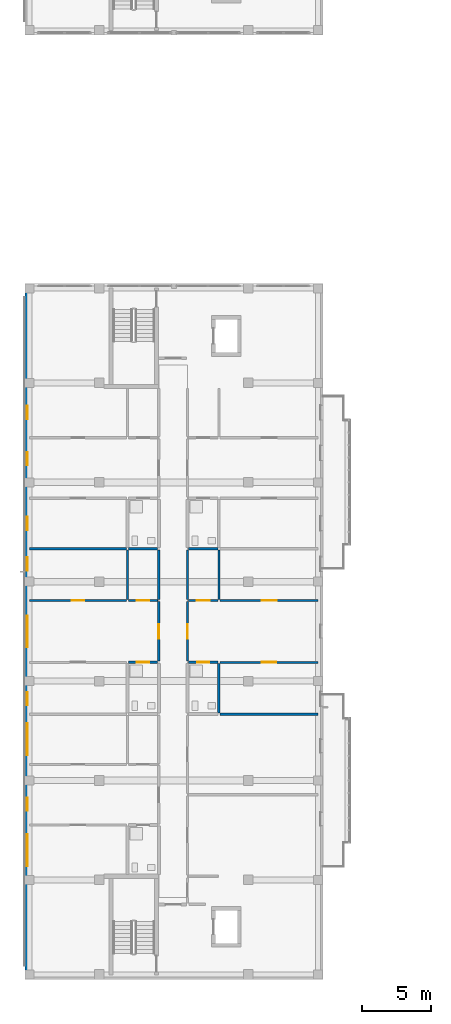
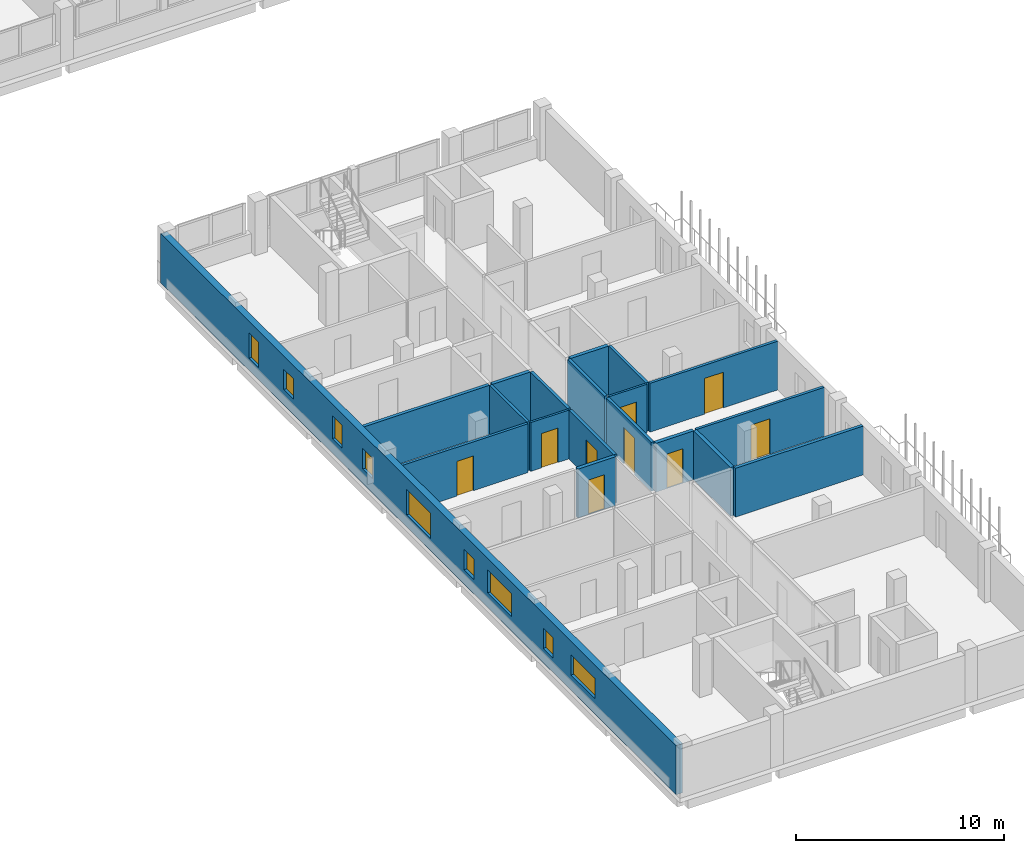
# One storey, part 25 of 51: 19 walls, 9 doors, 9 windows, 18 openings.
"""IFC4 building model written with IfcOpenShell, lengths in metres."""

from ifc_helpers import new_model, si_unit, derived_unit, direction, frame, frame_2d, origin, place, context, subcontext, project, spatial, rectangle, extrude, material, layer, layer_set, type_object, element, fill, save


model = new_model("IFC4")

# Units and contexts
model_context = context("Model", 3, precision=1e-05, world=origin(), true_north=direction((0.0, 1.0)))
body_context = subcontext(model_context, "Body", "Model", "MODEL_VIEW")
ifc_project = project(units=[si_unit("LENGTHUNIT", "METRE"), si_unit("AREAUNIT", "SQUARE_METRE"), si_unit("VOLUMEUNIT", "CUBIC_METRE"), si_unit("PLANEANGLEUNIT", "RADIAN"), si_unit("MASSUNIT", "GRAM", prefix="KILO"), derived_unit("THERMALTRANSMITTANCEUNIT", [(si_unit("MASSUNIT", "GRAM", prefix="KILO"), 1), (si_unit("TIMEUNIT", "SECOND"), -3), (si_unit("THERMODYNAMICTEMPERATUREUNIT", "KELVIN"), -1)])], contexts=[model_context])

# Site, building, storey
site_placement = place(None, origin())
site = spatial("IfcSite", under=ifc_project, at=site_placement, CompositionType="ELEMENT")
building_placement = place(site_placement, origin())
building = spatial("IfcBuilding", under=site, at=building_placement, Name="Ochrekiln Boulevard Commons", CompositionType="ELEMENT")
storey_placement = place(building_placement, frame((0.0, 0.0, 18.375)))
storey = spatial("IfcBuildingStorey", under=building, at=storey_placement, Name="L05", CompositionType="ELEMENT", Elevation=18.375)

# Wall, openings, windows
ifc_material_1 = material(Name="Iron-spot brown clinker brick masonry ASTM C216 Grade SW", Category="masonry")
ifc_layer_1 = layer(ifc_material_1, 0.364990234375)
ifc_layer_set_1 = layer_set([ifc_layer_1], Name="Iron-spot brown clinker brick masonry ASTM C216 Grade SW")
wall_type_1 = type_object("IfcWallType", Name="WL-EXT-IRON-365", PredefinedType="SOLIDWALL", material=ifc_layer_set_1)
wall_1_placement = place(storey_placement, frame((0.1826171875, 0.364990234375, 0.0), z_axis=(0.0, 0.0, 1.0), x_axis=(0.0, 1.0, 0.0)))
wall_1 = element("IfcWall", 1, at=wall_1_placement, inside=storey, type_object=wall_type_1, Name="Block D L05 W Exterior Wall", PredefinedType="SOLIDWALL", context=body_context, shape_type="SweptSolid", body=[
    extrude(rectangle(XDim=49.669921875, YDim=0.364990234375, at=frame_2d((24.8349609375, 0.0))), origin(), (0.0, 0.0, 1.0), 2.889892578125),
])
opening_1_placement = place(wall_1_placement, frame((11.85107421875, 0.0, 0.85009765625)))
opening_1 = element("IfcOpeningElement", 2, at=opening_1_placement, cuts=wall_1, Name="Opening W-01", PredefinedType="OPENING", context=body_context, shape_type="SweptSolid", body=[
    extrude(rectangle(XDim=0.949951171875, YDim=1.199951171875, at=frame_2d((0.47509765625, 0.60009765625))), frame((0.0, 0.1923828125, 0.0), z_axis=(0.0, -1.0, 0.0), x_axis=(1.0, 0.0, 0.0)), (0.0, 0.0, 1.0), 0.385009765625),
])
opening_2_placement = place(wall_1_placement, frame((7.8310546875, 0.0, 0.89990234375)))
opening_2 = element("IfcOpeningElement", 3, at=opening_2_placement, cuts=wall_1, Name="Opening W-56", PredefinedType="OPENING", context=body_context, shape_type="SweptSolid", body=[
    extrude(rectangle(XDim=2.300048828125, YDim=1.199951171875, at=frame_2d((1.14990234375, 0.60009765625))), frame((0.0, 0.1923828125, 0.0), z_axis=(0.0, -1.0, 0.0), x_axis=(1.0, 0.0, 0.0)), (0.0, 0.0, 1.0), 0.385009765625),
])
opening_3_placement = place(wall_1_placement, frame((15.864990234375, 0.0, 0.85498046875)))
opening_3 = element("IfcOpeningElement", 4, at=opening_3_placement, cuts=wall_1, Name="Opening W-57", PredefinedType="OPENING", context=body_context, shape_type="SweptSolid", body=[
    extrude(rectangle(XDim=2.300048828125, YDim=1.35009765625, at=frame_2d((1.14990234375, 0.675048828125))), frame((0.0, 0.1923828125, 0.0), z_axis=(0.0, -1.0, 0.0), x_axis=(1.0, 0.0, 0.0)), (0.0, 0.0, 1.0), 0.385009765625),
])
opening_4_placement = place(wall_1_placement, frame((23.68505859375, 0.0, 0.705078125)))
opening_4 = element("IfcOpeningElement", 5, at=opening_4_placement, cuts=wall_1, Name="Opening W-58", PredefinedType="OPENING", context=body_context, shape_type="SweptSolid", body=[
    extrude(rectangle(XDim=2.300048828125, YDim=1.5, at=frame_2d((1.14990234375, 0.75))), frame((0.0, 0.1923828125, 0.0), z_axis=(0.0, -1.0, 0.0), x_axis=(1.0, 0.0, 0.0)), (0.0, 0.0, 1.0), 0.385009765625),
])
opening_5_placement = place(wall_1_placement, frame((19.47802734375, 0.0, 0.85009765625)))
opening_5 = element("IfcOpeningElement", 6, at=opening_5_placement, cuts=wall_1, Name="Opening W-01", PredefinedType="OPENING", context=body_context, shape_type="SweptSolid", body=[
    extrude(rectangle(XDim=0.949951171875, YDim=1.199951171875, at=frame_2d((0.47509765625, 0.60009765625))), frame((0.0, 0.1923828125, 0.0), z_axis=(0.0, -1.0, 0.0), x_axis=(1.0, 0.0, 0.0)), (0.0, 0.0, 1.0), 0.385009765625),
])
opening_6_placement = place(wall_1_placement, frame((29.241943359375, 0.0, 0.85009765625)))
opening_6 = element("IfcOpeningElement", 7, at=opening_6_placement, cuts=wall_1, Name="Opening W-01", PredefinedType="OPENING", context=body_context, shape_type="SweptSolid", body=[
    extrude(rectangle(XDim=0.949951171875, YDim=1.199951171875, at=frame_2d((0.47509765625, 0.60009765625))), frame((0.0, 0.1923828125, 0.0), z_axis=(0.0, -1.0, 0.0), x_axis=(1.0, 0.0, 0.0)), (0.0, 0.0, 1.0), 0.385009765625),
])
opening_7_placement = place(wall_1_placement, frame((36.867919921875, 0.0, 0.89990234375)))
opening_7 = element("IfcOpeningElement", 8, at=opening_7_placement, cuts=wall_1, Name="Opening W-01", PredefinedType="OPENING", context=body_context, shape_type="SweptSolid", body=[
    extrude(rectangle(XDim=0.949951171875, YDim=1.199951171875, at=frame_2d((0.47509765625, 0.60009765625))), frame((0.0, 0.1923828125, 0.0), z_axis=(0.0, -1.0, 0.0), x_axis=(1.0, 0.0, 0.0)), (0.0, 0.0, 1.0), 0.385009765625),
])
opening_8_placement = place(wall_1_placement, frame((32.179931640625, 0.0, 0.85498046875)))
opening_8 = element("IfcOpeningElement", 9, at=opening_8_placement, cuts=wall_1, Name="Opening W-02", PredefinedType="OPENING", context=body_context, shape_type="SweptSolid", body=[
    extrude(rectangle(XDim=0.949951171875, YDim=1.35009765625, at=frame_2d((0.47509765625, 0.675048828125))), frame((0.0, 0.1923828125, 0.0), z_axis=(0.0, -1.0, 0.0), x_axis=(1.0, 0.0, 0.0)), (0.0, 0.0, 1.0), 0.385009765625),
])
opening_9_placement = place(wall_1_placement, frame((40.212890625, 0.0, 0.705078125)))
opening_9 = element("IfcOpeningElement", 10, at=opening_9_placement, cuts=wall_1, Name="Opening W-03", PredefinedType="OPENING", context=body_context, shape_type="SweptSolid", body=[
    extrude(rectangle(XDim=0.949951171875, YDim=1.5, at=frame_2d((0.47509765625, 0.75))), frame((0.0, 0.1923828125, 0.0), z_axis=(0.0, -1.0, 0.0), x_axis=(1.0, 0.0, 0.0)), (0.0, 0.0, 1.0), 0.385009765625),
])
ifc_material_2 = material(Name="Thermally broken aluminium-clad oak frame", Category="aluminium")
window_type_1 = type_object("IfcWindowType", Name="WIN-EXT-01", PartitioningType="SINGLE_PANEL", PredefinedType="WINDOW", material=ifc_material_2)
window_1_placement = place(opening_1_placement, origin())
window_1 = element("IfcWindow", 11, at=window_1_placement, inside=storey, type_object=window_type_1, Name="Block D L05 Punched Masonry Window W-01", OverallHeight=1.199951171875, OverallWidth=0.949951171875, PartitioningType="SINGLE_PANEL", PredefinedType="WINDOW", context=body_context, shape_type="SweptSolid", body=[
    extrude(rectangle(XDim=0.949951171875, YDim=1.199951171875, at=frame_2d((0.47509765625, 0.60009765625))), frame((0.0, 0.030029296875, 0.0), z_axis=(0.0, -1.0, 0.0), x_axis=(1.0, 0.0, 0.0)), (0.0, 0.0, 1.0), 0.06005859375),
])
fill(opening_1, window_1)
window_2_placement = place(opening_5_placement, origin())
window_2 = element("IfcWindow", 12, at=window_2_placement, inside=storey, type_object=window_type_1, Name="Block D L05 Punched Masonry Window W-01", OverallHeight=1.199951171875, OverallWidth=0.949951171875, PartitioningType="SINGLE_PANEL", PredefinedType="WINDOW", context=body_context, shape_type="SweptSolid", body=[
    extrude(rectangle(XDim=0.949951171875, YDim=1.199951171875, at=frame_2d((0.47509765625, 0.60009765625))), frame((0.0, 0.030029296875, 0.0), z_axis=(0.0, -1.0, 0.0), x_axis=(1.0, 0.0, 0.0)), (0.0, 0.0, 1.0), 0.06005859375),
])
fill(opening_5, window_2)
window_3_placement = place(opening_6_placement, origin())
window_3 = element("IfcWindow", 13, at=window_3_placement, inside=storey, type_object=window_type_1, Name="Block D L05 Punched Masonry Window W-01", OverallHeight=1.199951171875, OverallWidth=0.949951171875, PartitioningType="SINGLE_PANEL", PredefinedType="WINDOW", context=body_context, shape_type="SweptSolid", body=[
    extrude(rectangle(XDim=0.949951171875, YDim=1.199951171875, at=frame_2d((0.47509765625, 0.60009765625))), frame((0.0, 0.030029296875, 0.0), z_axis=(0.0, -1.0, 0.0), x_axis=(1.0, 0.0, 0.0)), (0.0, 0.0, 1.0), 0.06005859375),
])
fill(opening_6, window_3)
window_4_placement = place(opening_7_placement, origin())
window_4 = element("IfcWindow", 14, at=window_4_placement, inside=storey, type_object=window_type_1, Name="Block D L05 Punched Masonry Window W-01", OverallHeight=1.199951171875, OverallWidth=0.949951171875, PartitioningType="SINGLE_PANEL", PredefinedType="WINDOW", context=body_context, shape_type="SweptSolid", body=[
    extrude(rectangle(XDim=0.949951171875, YDim=1.199951171875, at=frame_2d((0.47509765625, 0.60009765625))), frame((0.0, 0.030029296875, 0.0), z_axis=(0.0, -1.0, 0.0), x_axis=(1.0, 0.0, 0.0)), (0.0, 0.0, 1.0), 0.06005859375),
])
fill(opening_7, window_4)
window_type_2 = type_object("IfcWindowType", Name="WIN-EXT-02", PartitioningType="SINGLE_PANEL", PredefinedType="WINDOW", material=ifc_material_2)
window_5_placement = place(opening_8_placement, origin())
window_5 = element("IfcWindow", 15, at=window_5_placement, inside=storey, type_object=window_type_2, Name="Block D L05 Punched Masonry Window W-02", OverallHeight=1.35009765625, OverallWidth=0.949951171875, PartitioningType="SINGLE_PANEL", PredefinedType="WINDOW", context=body_context, shape_type="SweptSolid", body=[
    extrude(rectangle(XDim=0.949951171875, YDim=1.35009765625, at=frame_2d((0.47509765625, 0.675048828125))), frame((0.0, 0.030029296875, 0.0), z_axis=(0.0, -1.0, 0.0), x_axis=(1.0, 0.0, 0.0)), (0.0, 0.0, 1.0), 0.06005859375),
])
fill(opening_8, window_5)
window_type_3 = type_object("IfcWindowType", Name="WIN-EXT-03", PartitioningType="SINGLE_PANEL", PredefinedType="WINDOW", material=ifc_material_2)
window_6_placement = place(opening_9_placement, origin())
window_6 = element("IfcWindow", 16, at=window_6_placement, inside=storey, type_object=window_type_3, Name="Block D L05 Punched Masonry Window W-03", OverallHeight=1.5, OverallWidth=0.949951171875, PartitioningType="SINGLE_PANEL", PredefinedType="WINDOW", context=body_context, shape_type="SweptSolid", body=[
    extrude(rectangle(XDim=0.949951171875, YDim=1.5, at=frame_2d((0.47509765625, 0.75))), frame((0.0, 0.030029296875, 0.0), z_axis=(0.0, -1.0, 0.0), x_axis=(1.0, 0.0, 0.0)), (0.0, 0.0, 1.0), 0.06005859375),
])
fill(opening_9, window_6)
window_type_4 = type_object("IfcWindowType", Name="WIN-EXT-56", PartitioningType="DOUBLE_PANEL_VERTICAL", PredefinedType="WINDOW", material=ifc_material_2)
window_7_placement = place(opening_2_placement, origin())
window_7 = element("IfcWindow", 17, at=window_7_placement, inside=storey, type_object=window_type_4, Name="Block D L05 Punched Masonry Window W-56", OverallHeight=1.199951171875, OverallWidth=2.300048828125, PartitioningType="DOUBLE_PANEL_VERTICAL", PredefinedType="WINDOW", context=body_context, shape_type="SweptSolid", body=[
    extrude(rectangle(XDim=2.300048828125, YDim=1.199951171875, at=frame_2d((1.14990234375, 0.60009765625))), frame((0.0, 0.030029296875, 0.0), z_axis=(0.0, -1.0, 0.0), x_axis=(1.0, 0.0, 0.0)), (0.0, 0.0, 1.0), 0.06005859375),
])
fill(opening_2, window_7)
window_type_5 = type_object("IfcWindowType", Name="WIN-EXT-57", PartitioningType="DOUBLE_PANEL_VERTICAL", PredefinedType="WINDOW", material=ifc_material_2)
window_8_placement = place(opening_3_placement, origin())
window_8 = element("IfcWindow", 18, at=window_8_placement, inside=storey, type_object=window_type_5, Name="Block D L05 Punched Masonry Window W-57", OverallHeight=1.35009765625, OverallWidth=2.300048828125, PartitioningType="DOUBLE_PANEL_VERTICAL", PredefinedType="WINDOW", context=body_context, shape_type="SweptSolid", body=[
    extrude(rectangle(XDim=2.300048828125, YDim=1.35009765625, at=frame_2d((1.14990234375, 0.675048828125))), frame((0.0, 0.030029296875, 0.0), z_axis=(0.0, -1.0, 0.0), x_axis=(1.0, 0.0, 0.0)), (0.0, 0.0, 1.0), 0.06005859375),
])
fill(opening_3, window_8)
window_type_6 = type_object("IfcWindowType", Name="WIN-EXT-58", PartitioningType="DOUBLE_PANEL_VERTICAL", PredefinedType="WINDOW", material=ifc_material_2)
window_9_placement = place(opening_4_placement, origin())
window_9 = element("IfcWindow", 19, at=window_9_placement, inside=storey, type_object=window_type_6, Name="Block D L05 Punched Masonry Window W-58", OverallHeight=1.5, OverallWidth=2.300048828125, PartitioningType="DOUBLE_PANEL_VERTICAL", PredefinedType="WINDOW", context=body_context, shape_type="SweptSolid", body=[
    extrude(rectangle(XDim=2.300048828125, YDim=1.5, at=frame_2d((1.14990234375, 0.75))), frame((0.0, 0.030029296875, 0.0), z_axis=(0.0, -1.0, 0.0), x_axis=(1.0, 0.0, 0.0)), (0.0, 0.0, 1.0), 0.06005859375),
])
fill(opening_4, window_9)

# Wall, opening, door
ifc_material_3 = material(Name="Moisture-resistant cementitious tile backer wall")
ifc_layer_2 = layer(ifc_material_3, 0.199951171875)
ifc_layer_set_2 = layer_set([ifc_layer_2], Name="Moisture-resistant cementitious tile backer wall")
wall_type_2 = type_object("IfcWallType", Name="WL-PLM-200", PredefinedType="PLUMBINGWALL", material=ifc_layer_set_2)
wall_2_placement = place(storey_placement, frame((7.52001953125, 22.9599609375, 0.0), z_axis=(0.0, 0.0, 1.0), x_axis=(1.0, 0.0, 0.0)))
wall_2 = element("IfcWall", 20, at=wall_2_placement, inside=storey, type_object=wall_type_2, Name="L05 Interior Wall W-PW200", PredefinedType="PLUMBINGWALL", context=body_context, shape_type="SweptSolid", body=[
    extrude(rectangle(XDim=2.10791015625, YDim=0.199951171875, at=frame_2d((1.053955078125, 0.0))), origin(), (0.0, 0.0, 1.0), 2.8701171875),
])
opening_10_placement = place(wall_2_placement, frame((0.60498046875, 0.0, 0.0)))
opening_10 = element("IfcOpeningElement", 21, at=opening_10_placement, cuts=wall_2, Name="Opening D-L05-766", PredefinedType="OPENING", context=body_context, shape_type="SweptSolid", body=[
    extrude(rectangle(XDim=0.889892578125, YDim=2.030029296875, at=frame_2d((0.44482421875, 1.01513671875))), frame((0.0, 0.10986328125, 0.0), z_axis=(0.0, -1.0, 0.0), x_axis=(1.0, 0.0, 0.0)), (0.0, 0.0, 1.0), 0.219970703125),
])
ifc_material_4 = material(Name="Solid core architectural oak door leaf")
door_type_1 = type_object("IfcDoorType", Name="DR-INT-BTH-089", OperationType="NOTDEFINED", PredefinedType="DOOR", material=ifc_material_4)
door_1_placement = place(opening_10_placement, frame((0.889892578125, 0.0, 0.0), z_axis=(0.0, 0.0, 1.0), x_axis=(-1.0, 0.0, 0.0)))
door_1 = element("IfcDoor", 22, at=door_1_placement, inside=storey, type_object=door_type_1, Name="L05 Interior Door to Apartment Bathroom", OperationType="SINGLE_SWING_RIGHT", OverallHeight=2.030029296875, OverallWidth=0.889892578125, PredefinedType="DOOR", context=body_context, shape_type="SweptSolid", body=[
    extrude(rectangle(XDim=0.889892578125, YDim=2.030029296875, at=frame_2d((0.44482421875, 1.01513671875))), frame((0.0, 0.02490234375, 0.0), z_axis=(0.0, -1.0, 0.0), x_axis=(1.0, 0.0, 0.0)), (0.0, 0.0, 1.0), 0.050048828125),
])
fill(opening_10, door_1)

# Wall
wall_3_placement = place(storey_placement, frame((7.52001953125, 31.18408203125, 0.0), z_axis=(0.0, 0.0, 1.0), x_axis=(1.0, 0.0, 0.0)))
element("IfcWall", 23, at=wall_3_placement, inside=storey, type_object=wall_type_2, Name="L05 Interior Wall W-PW200", PredefinedType="PLUMBINGWALL", context=body_context, shape_type="SweptSolid", body=[
    extrude(rectangle(XDim=2.10791015625, YDim=0.199951171875, at=frame_2d((1.053955078125, 0.0))), origin(), (0.0, 0.0, 1.0), 2.8701171875),
])

# Wall, opening, door
wall_4_placement = place(storey_placement, frame((11.8720703125, 22.9599609375, 0.0), z_axis=(0.0, 0.0, 1.0), x_axis=(1.0, 0.0, 0.0)))
wall_4 = element("IfcWall", 24, at=wall_4_placement, inside=storey, type_object=wall_type_2, Name="L05 Interior Wall W-PW200", PredefinedType="PLUMBINGWALL", context=body_context, shape_type="SweptSolid", body=[
    extrude(rectangle(XDim=2.10791015625, YDim=0.199951171875, at=frame_2d((1.053955078125, 0.0))), origin(), (0.0, 0.0, 1.0), 2.8701171875),
])
opening_11_placement = place(wall_4_placement, frame((0.613037109375, 0.0, 0.0)))
opening_11 = element("IfcOpeningElement", 25, at=opening_11_placement, cuts=wall_4, Name="Opening D-L05-774", PredefinedType="OPENING", context=body_context, shape_type="SweptSolid", body=[
    extrude(rectangle(XDim=0.889892578125, YDim=2.030029296875, at=frame_2d((0.44482421875, 1.01513671875))), frame((0.0, 0.10986328125, 0.0), z_axis=(0.0, -1.0, 0.0), x_axis=(1.0, 0.0, 0.0)), (0.0, 0.0, 1.0), 0.219970703125),
])
door_2_placement = place(opening_11_placement, frame((0.889892578125, 0.0, 0.0), z_axis=(0.0, 0.0, 1.0), x_axis=(-1.0, 0.0, 0.0)))
door_2 = element("IfcDoor", 26, at=door_2_placement, inside=storey, type_object=door_type_1, Name="L05 Interior Door to Apartment Bathroom", OperationType="SINGLE_SWING_RIGHT", OverallHeight=2.030029296875, OverallWidth=0.889892578125, PredefinedType="DOOR", context=body_context, shape_type="SweptSolid", body=[
    extrude(rectangle(XDim=0.889892578125, YDim=2.030029296875, at=frame_2d((0.44482421875, 1.01513671875))), frame((0.0, 0.02490234375, 0.0), z_axis=(0.0, -1.0, 0.0), x_axis=(1.0, 0.0, 0.0)), (0.0, 0.0, 1.0), 0.050048828125),
])
fill(opening_11, door_2)

# Walls
wall_5_placement = place(storey_placement, frame((14.06005859375, 19.305908203125, 0.0), z_axis=(0.0, 0.0, 1.0), x_axis=(0.0, 1.0, 0.0)))
element("IfcWall", 27, at=wall_5_placement, inside=storey, type_object=wall_type_2, Name="L05 Interior Wall W-PW200", PredefinedType="PLUMBINGWALL", context=body_context, shape_type="SweptSolid", body=[
    extrude(rectangle(XDim=3.5791015625, YDim=0.199951171875, at=frame_2d((1.78955078125, 0.0))), origin(), (0.0, 0.0, 1.0), 2.8701171875),
])
wall_6_placement = place(storey_placement, frame((11.8720703125, 31.18408203125, 0.0), z_axis=(0.0, 0.0, 1.0), x_axis=(1.0, 0.0, 0.0)))
element("IfcWall", 28, at=wall_6_placement, inside=storey, type_object=wall_type_2, Name="L05 Interior Wall W-PW200", PredefinedType="PLUMBINGWALL", context=body_context, shape_type="SweptSolid", body=[
    extrude(rectangle(XDim=2.113037109375, YDim=0.199951171875, at=frame_2d((1.056640625, 0.0))), origin(), (0.0, 0.0, 1.0), 2.8701171875),
])

# Wall, opening, door
ifc_material_5 = material(Name="Fire-rated Type X gypsum board on steel studs", Category="steel")
ifc_layer_3 = layer(ifc_material_5, 0.1650390625)
ifc_layer_set_3 = layer_set([ifc_layer_3], Name="Fire-rated Type X gypsum board on steel studs")
wall_type_3 = type_object("IfcWallType", Name="WL-PT-CORR-165", PredefinedType="PARTITIONING", material=ifc_layer_set_3)
wall_7_placement = place(storey_placement, frame((9.7099609375, 23.0400390625, 0.0), z_axis=(0.0, 0.0, 1.0), x_axis=(0.0, 1.0, 0.0)))
wall_7 = element("IfcWall", 29, at=wall_7_placement, inside=storey, type_object=wall_type_3, Name="L05 Interior Wall W-PC165", PredefinedType="PARTITIONING", context=body_context, shape_type="SweptSolid", body=[
    extrude(rectangle(XDim=4.320068359375, YDim=0.1650390625, at=frame_2d((2.16015625, 0.0))), origin(), (0.0, 0.0, 1.0), 2.8701171875),
])
opening_12_placement = place(wall_7_placement, frame((1.635009765625, 0.0, 0.0)))
opening_12 = element("IfcOpeningElement", 30, at=opening_12_placement, cuts=wall_7, Name="Opening D-L05-756", PredefinedType="OPENING", context=body_context, shape_type="SweptSolid", body=[
    extrude(rectangle(XDim=1.050048828125, YDim=2.1298828125, at=frame_2d((0.52490234375, 1.06494140625))), frame((0.0, 0.092529296875, 0.0), z_axis=(0.0, -1.0, 0.0), x_axis=(1.0, 0.0, 0.0)), (0.0, 0.0, 1.0), 0.18505859375),
])
door_type_2 = type_object("IfcDoorType", Name="DR-INT-APT-105", OperationType="NOTDEFINED", PredefinedType="DOOR", material=ifc_material_4)
door_3_placement = place(opening_12_placement, origin())
door_3 = element("IfcDoor", 31, at=door_3_placement, inside=storey, type_object=door_type_2, Name="L05 Interior Door to Two-Bedroom Apartment Living Room", OperationType="SINGLE_SWING_RIGHT", OverallHeight=2.1298828125, OverallWidth=1.050048828125, PredefinedType="DOOR", context=body_context, shape_type="SweptSolid", body=[
    extrude(rectangle(XDim=1.050048828125, YDim=2.1298828125, at=frame_2d((0.52490234375, 1.06494140625))), frame((0.0, 0.02490234375, 0.0), z_axis=(0.0, -1.0, 0.0), x_axis=(1.0, 0.0, 0.0)), (0.0, 0.0, 1.0), 0.050048828125),
])
fill(opening_12, door_3)

# Wall
wall_8_placement = place(storey_placement, frame((9.7099609375, 27.52001953125, 0.0), z_axis=(0.0, 0.0, 1.0), x_axis=(0.0, 1.0, 0.0)))
element("IfcWall", 32, at=wall_8_placement, inside=storey, type_object=wall_type_3, Name="L05 Interior Wall W-PC165", PredefinedType="PARTITIONING", context=body_context, shape_type="SweptSolid", body=[
    extrude(rectangle(XDim=3.573974609375, YDim=0.1650390625, at=frame_2d((1.787109375, 0.0))), origin(), (0.0, 0.0, 1.0), 2.8701171875),
])

# Wall, opening, door
wall_9_placement = place(storey_placement, frame((11.7900390625, 23.0400390625, 0.0), z_axis=(0.0, 0.0, 1.0), x_axis=(0.0, 1.0, 0.0)))
wall_9 = element("IfcWall", 33, at=wall_9_placement, inside=storey, type_object=wall_type_3, Name="L05 Interior Wall W-PC165", PredefinedType="PARTITIONING", context=body_context, shape_type="SweptSolid", body=[
    extrude(rectangle(XDim=4.320068359375, YDim=0.1650390625, at=frame_2d((2.16015625, 0.0))), origin(), (0.0, 0.0, 1.0), 2.8701171875),
])
opening_13_placement = place(wall_9_placement, frame((1.635009765625, 0.0, 0.0)))
opening_13 = element("IfcOpeningElement", 34, at=opening_13_placement, cuts=wall_9, Name="Opening D-L05-760", PredefinedType="OPENING", context=body_context, shape_type="SweptSolid", body=[
    extrude(rectangle(XDim=1.050048828125, YDim=2.1298828125, at=frame_2d((0.52490234375, 1.06494140625))), frame((0.0, 0.092529296875, 0.0), z_axis=(0.0, -1.0, 0.0), x_axis=(1.0, 0.0, 0.0)), (0.0, 0.0, 1.0), 0.18505859375),
])
door_4_placement = place(opening_13_placement, frame((1.050048828125, 0.0, 0.0), z_axis=(0.0, 0.0, 1.0), x_axis=(-1.0, 0.0, 0.0)))
door_4 = element("IfcDoor", 35, at=door_4_placement, inside=storey, type_object=door_type_2, Name="L05 Interior Door to Two-Bedroom Apartment Living Room", OperationType="SINGLE_SWING_RIGHT", OverallHeight=2.1298828125, OverallWidth=1.050048828125, PredefinedType="DOOR", context=body_context, shape_type="SweptSolid", body=[
    extrude(rectangle(XDim=1.050048828125, YDim=2.1298828125, at=frame_2d((0.52490234375, 1.06494140625))), frame((0.0, 0.02490234375, 0.0), z_axis=(0.0, -1.0, 0.0), x_axis=(1.0, 0.0, 0.0)), (0.0, 0.0, 1.0), 0.050048828125),
])
fill(opening_13, door_4)

# Walls
wall_10_placement = place(storey_placement, frame((11.7900390625, 27.52001953125, 0.0), z_axis=(0.0, 0.0, 1.0), x_axis=(0.0, 1.0, 0.0)))
element("IfcWall", 36, at=wall_10_placement, inside=storey, type_object=wall_type_3, Name="L05 Interior Wall W-PC165", PredefinedType="PARTITIONING", context=body_context, shape_type="SweptSolid", body=[
    extrude(rectangle(XDim=3.573974609375, YDim=0.1650390625, at=frame_2d((1.787109375, 0.0))), origin(), (0.0, 0.0, 1.0), 2.8701171875),
])
ifc_layer_4 = layer(ifc_material_5, 0.179931640625)
ifc_layer_set_4 = layer_set([ifc_layer_4], Name="Fire-rated Type X gypsum board on steel studs")
wall_type_4 = type_object("IfcWallType", Name="WL-PT-DEM-180", PredefinedType="PARTITIONING", material=ifc_layer_set_4)
wall_11_placement = place(storey_placement, frame((0.35009765625, 31.18408203125, 0.0), z_axis=(0.0, 0.0, 1.0), x_axis=(1.0, 0.0, 0.0)))
element("IfcWall", 37, at=wall_11_placement, inside=storey, type_object=wall_type_4, Name="L05 Interior Wall W-PD180", PredefinedType="PARTITIONING", context=body_context, shape_type="SweptSolid", body=[
    extrude(rectangle(XDim=7.010009765625, YDim=0.179931640625, at=frame_2d((3.5048828125, 0.0))), origin(), (0.0, 0.0, 1.0), 2.8701171875),
])
wall_12_placement = place(storey_placement, frame((14.139892578125, 19.216064453125, 0.0), z_axis=(0.0, 0.0, 1.0), x_axis=(1.0, 0.0, 0.0)))
element("IfcWall", 38, at=wall_12_placement, inside=storey, type_object=wall_type_4, Name="L05 Interior Wall W-PD180", PredefinedType="PARTITIONING", context=body_context, shape_type="SweptSolid", body=[
    extrude(rectangle(XDim=7.110107421875, YDim=0.179931640625, at=frame_2d((3.55517578125, 0.0))), origin(), (0.0, 0.0, 1.0), 2.8701171875),
])

# Wall, opening, door
ifc_layer_5 = layer(ifc_material_5, 0.1201171875)
ifc_layer_set_5 = layer_set([ifc_layer_5], Name="Fire-rated Type X gypsum board on steel studs")
wall_type_5 = type_object("IfcWallType", Name="WL-PT-LGT-120", PredefinedType="PARTITIONING", material=ifc_layer_set_5)
wall_13_placement = place(storey_placement, frame((7.52001953125, 27.43994140625, 0.0), z_axis=(0.0, 0.0, 1.0), x_axis=(1.0, 0.0, 0.0)))
wall_13 = element("IfcWall", 39, at=wall_13_placement, inside=storey, type_object=wall_type_5, Name="L05 Interior Wall W-PL120", PredefinedType="PARTITIONING", context=body_context, shape_type="SweptSolid", body=[
    extrude(rectangle(XDim=2.10791015625, YDim=0.1201171875, at=frame_2d((1.053955078125, 0.0))), origin(), (0.0, 0.0, 1.0), 2.8701171875),
])
opening_14_placement = place(wall_13_placement, frame((0.590087890625, 0.0, 0.0)))
opening_14 = element("IfcOpeningElement", 40, at=opening_14_placement, cuts=wall_13, Name="Opening D-L05-767", PredefinedType="OPENING", context=body_context, shape_type="SweptSolid", body=[
    extrude(rectangle(XDim=0.919921875, YDim=2.02001953125, at=frame_2d((0.4599609375, 1.010009765625))), frame((0.0, 0.070068359375, 0.0), z_axis=(0.0, -1.0, 0.0), x_axis=(1.0, 0.0, 0.0)), (0.0, 0.0, 1.0), 0.14013671875),
])
door_type_3 = type_object("IfcDoorType", Name="DR-INT-KIT-092", OperationType="NOTDEFINED", PredefinedType="DOOR", material=ifc_material_4)
door_5_placement = place(opening_14_placement, origin())
door_5 = element("IfcDoor", 41, at=door_5_placement, inside=storey, type_object=door_type_3, Name="L05 Interior Door to Apartment Kitchen", OperationType="SINGLE_SWING_LEFT", OverallHeight=2.02001953125, OverallWidth=0.919921875, PredefinedType="DOOR", context=body_context, shape_type="SweptSolid", body=[
    extrude(rectangle(XDim=0.919921875, YDim=2.02001953125, at=frame_2d((0.4599609375, 1.010009765625))), frame((0.0, 0.02490234375, 0.0), z_axis=(0.0, -1.0, 0.0), x_axis=(1.0, 0.0, 0.0)), (0.0, 0.0, 1.0), 0.050048828125),
])
fill(opening_14, door_5)

wall_14_placement = place(storey_placement, frame((11.8720703125, 27.43994140625, 0.0), z_axis=(0.0, 0.0, 1.0), x_axis=(1.0, 0.0, 0.0)))
wall_14 = element("IfcWall", 42, at=wall_14_placement, inside=storey, type_object=wall_type_5, Name="L05 Interior Wall W-PL120", PredefinedType="PARTITIONING", context=body_context, shape_type="SweptSolid", body=[
    extrude(rectangle(XDim=2.10791015625, YDim=0.1201171875, at=frame_2d((1.053955078125, 0.0))), origin(), (0.0, 0.0, 1.0), 2.8701171875),
])
opening_15_placement = place(wall_14_placement, frame((0.597900390625, 0.0, 0.0)))
opening_15 = element("IfcOpeningElement", 43, at=opening_15_placement, cuts=wall_14, Name="Opening D-L05-775", PredefinedType="OPENING", context=body_context, shape_type="SweptSolid", body=[
    extrude(rectangle(XDim=0.919921875, YDim=2.02001953125, at=frame_2d((0.4599609375, 1.010009765625))), frame((0.0, 0.070068359375, 0.0), z_axis=(0.0, -1.0, 0.0), x_axis=(1.0, 0.0, 0.0)), (0.0, 0.0, 1.0), 0.14013671875),
])
door_6_placement = place(opening_15_placement, origin())
door_6 = element("IfcDoor", 44, at=door_6_placement, inside=storey, type_object=door_type_3, Name="L05 Interior Door to Apartment Kitchen", OperationType="SINGLE_SWING_LEFT", OverallHeight=2.02001953125, OverallWidth=0.919921875, PredefinedType="DOOR", context=body_context, shape_type="SweptSolid", body=[
    extrude(rectangle(XDim=0.919921875, YDim=2.02001953125, at=frame_2d((0.4599609375, 1.010009765625))), frame((0.0, 0.02490234375, 0.0), z_axis=(0.0, -1.0, 0.0), x_axis=(1.0, 0.0, 0.0)), (0.0, 0.0, 1.0), 0.050048828125),
])
fill(opening_15, door_6)

ifc_layer_6 = layer(ifc_material_5, 0.14990234375)
ifc_layer_set_6 = layer_set([ifc_layer_6], Name="Fire-rated Type X gypsum board on steel studs")
wall_type_6 = type_object("IfcWallType", Name="WL-PT-STD-150", PredefinedType="PARTITIONING", material=ifc_layer_set_6)
wall_15_placement = place(storey_placement, frame((0.35009765625, 27.43994140625, 0.0), z_axis=(0.0, 0.0, 1.0), x_axis=(1.0, 0.0, 0.0)))
wall_15 = element("IfcWall", 45, at=wall_15_placement, inside=storey, type_object=wall_type_6, Name="L05 Interior Wall W-PS150", PredefinedType="PARTITIONING", context=body_context, shape_type="SweptSolid", body=[
    extrude(rectangle(XDim=7.010009765625, YDim=0.14990234375, at=frame_2d((3.5048828125, 0.0))), origin(), (0.0, 0.0, 1.0), 2.8701171875),
])
opening_16_placement = place(wall_15_placement, frame((3.054931640625, 0.0, 0.0)))
opening_16 = element("IfcOpeningElement", 46, at=opening_16_placement, cuts=wall_15, Name="Opening D-L05-769", PredefinedType="OPENING", context=body_context, shape_type="SweptSolid", body=[
    extrude(rectangle(XDim=0.89990234375, YDim=2.0400390625, at=frame_2d((0.449951171875, 1.02001953125))), frame((0.0, 0.0849609375, 0.0), z_axis=(0.0, -1.0, 0.0), x_axis=(1.0, 0.0, 0.0)), (0.0, 0.0, 1.0), 0.169921875),
])
door_type_4 = type_object("IfcDoorType", Name="DR-INT-BED-090", OperationType="NOTDEFINED", PredefinedType="DOOR", material=ifc_material_4)
door_7_placement = place(opening_16_placement, origin())
door_7 = element("IfcDoor", 47, at=door_7_placement, inside=storey, type_object=door_type_4, Name="L05 Interior Door to Secondary Apartment Bedroom", OperationType="SINGLE_SWING_LEFT", OverallHeight=2.0400390625, OverallWidth=0.89990234375, PredefinedType="DOOR", context=body_context, shape_type="SweptSolid", body=[
    extrude(rectangle(XDim=0.89990234375, YDim=2.0400390625, at=frame_2d((0.449951171875, 1.02001953125))), frame((0.0, 0.02490234375, 0.0), z_axis=(0.0, -1.0, 0.0), x_axis=(1.0, 0.0, 0.0)), (0.0, 0.0, 1.0), 0.050048828125),
])
fill(opening_16, door_7)

# Wall
wall_16_placement = place(storey_placement, frame((7.43994140625, 27.5, 0.0), z_axis=(0.0, 0.0, 1.0), x_axis=(0.0, 1.0, 0.0)))
element("IfcWall", 48, at=wall_16_placement, inside=storey, type_object=wall_type_6, Name="L05 Interior Wall W-PS150", PredefinedType="PARTITIONING", context=body_context, shape_type="SweptSolid", body=[
    extrude(rectangle(XDim=3.593994140625, YDim=0.14990234375, at=frame_2d((1.796875, 0.0))), origin(), (0.0, 0.0, 1.0), 2.8701171875),
])

# Wall, opening, door
wall_17_placement = place(storey_placement, frame((14.139892578125, 22.9599609375, 0.0), z_axis=(0.0, 0.0, 1.0), x_axis=(1.0, 0.0, 0.0)))
wall_17 = element("IfcWall", 49, at=wall_17_placement, inside=storey, type_object=wall_type_6, Name="L05 Interior Wall W-PS150", PredefinedType="PARTITIONING", context=body_context, shape_type="SweptSolid", body=[
    extrude(rectangle(XDim=7.110107421875, YDim=0.14990234375, at=frame_2d((3.55517578125, 0.0))), origin(), (0.0, 0.0, 1.0), 2.8701171875),
])
opening_17_placement = place(wall_17_placement, frame((3.034912109375, 0.0, 0.0)))
opening_17 = element("IfcOpeningElement", 50, at=opening_17_placement, cuts=wall_17, Name="Opening D-L05-776", PredefinedType="OPENING", context=body_context, shape_type="SweptSolid", body=[
    extrude(rectangle(XDim=1.0400390625, YDim=2.080078125, at=frame_2d((0.52001953125, 1.0400390625))), frame((0.0, 0.0849609375, 0.0), z_axis=(0.0, -1.0, 0.0), x_axis=(1.0, 0.0, 0.0)), (0.0, 0.0, 1.0), 0.169921875),
])
door_type_5 = type_object("IfcDoorType", Name="DR-INT-BED-104", OperationType="NOTDEFINED", PredefinedType="DOOR", material=ifc_material_4)
door_8_placement = place(opening_17_placement, frame((1.0400390625, 0.0, 0.0), z_axis=(0.0, 0.0, 1.0), x_axis=(-1.0, 0.0, 0.0)))
door_8 = element("IfcDoor", 51, at=door_8_placement, inside=storey, type_object=door_type_5, Name="L05 Interior Door to Primary Apartment Bedroom", OperationType="SINGLE_SWING_RIGHT", OverallHeight=2.080078125, OverallWidth=1.0400390625, PredefinedType="DOOR", context=body_context, shape_type="SweptSolid", body=[
    extrude(rectangle(XDim=1.0400390625, YDim=2.080078125, at=frame_2d((0.52001953125, 1.0400390625))), frame((0.0, 0.02490234375, 0.0), z_axis=(0.0, -1.0, 0.0), x_axis=(1.0, 0.0, 0.0)), (0.0, 0.0, 1.0), 0.050048828125),
])
fill(opening_17, door_8)

wall_18_placement = place(storey_placement, frame((14.139892578125, 27.43994140625, 0.0), z_axis=(0.0, 0.0, 1.0), x_axis=(1.0, 0.0, 0.0)))
wall_18 = element("IfcWall", 52, at=wall_18_placement, inside=storey, type_object=wall_type_6, Name="L05 Interior Wall W-PS150", PredefinedType="PARTITIONING", context=body_context, shape_type="SweptSolid", body=[
    extrude(rectangle(XDim=7.110107421875, YDim=0.14990234375, at=frame_2d((3.55517578125, 0.0))), origin(), (0.0, 0.0, 1.0), 2.8701171875),
])
opening_18_placement = place(wall_18_placement, frame((3.014892578125, 0.0, 0.0)))
opening_18 = element("IfcOpeningElement", 53, at=opening_18_placement, cuts=wall_18, Name="Opening D-L05-777", PredefinedType="OPENING", context=body_context, shape_type="SweptSolid", body=[
    extrude(rectangle(XDim=1.080078125, YDim=2.10009765625, at=frame_2d((0.5400390625, 1.050048828125))), frame((0.0, 0.0849609375, 0.0), z_axis=(0.0, -1.0, 0.0), x_axis=(1.0, 0.0, 0.0)), (0.0, 0.0, 1.0), 0.169921875),
])
door_type_6 = type_object("IfcDoorType", Name="DR-INT-BED-108", OperationType="NOTDEFINED", PredefinedType="DOOR", material=ifc_material_4)
door_9_placement = place(opening_18_placement, origin())
door_9 = element("IfcDoor", 54, at=door_9_placement, inside=storey, type_object=door_type_6, Name="L05 Interior Door to Secondary Apartment Bedroom", OperationType="SINGLE_SWING_LEFT", OverallHeight=2.10009765625, OverallWidth=1.080078125, PredefinedType="DOOR", context=body_context, shape_type="SweptSolid", body=[
    extrude(rectangle(XDim=1.080078125, YDim=2.10009765625, at=frame_2d((0.5400390625, 1.050048828125))), frame((0.0, 0.02490234375, 0.0), z_axis=(0.0, -1.0, 0.0), x_axis=(1.0, 0.0, 0.0)), (0.0, 0.0, 1.0), 0.050048828125),
])
fill(opening_18, door_9)

# Wall
wall_19_placement = place(storey_placement, frame((14.06005859375, 27.5, 0.0), z_axis=(0.0, 0.0, 1.0), x_axis=(0.0, 1.0, 0.0)))
element("IfcWall", 55, at=wall_19_placement, inside=storey, type_object=wall_type_6, Name="L05 Interior Wall W-PS150", PredefinedType="PARTITIONING", context=body_context, shape_type="SweptSolid", body=[
    extrude(rectangle(XDim=3.593994140625, YDim=0.14990234375, at=frame_2d((1.796875, 0.0))), origin(), (0.0, 0.0, 1.0), 2.8701171875),
])

save(model, "model.ifc")
